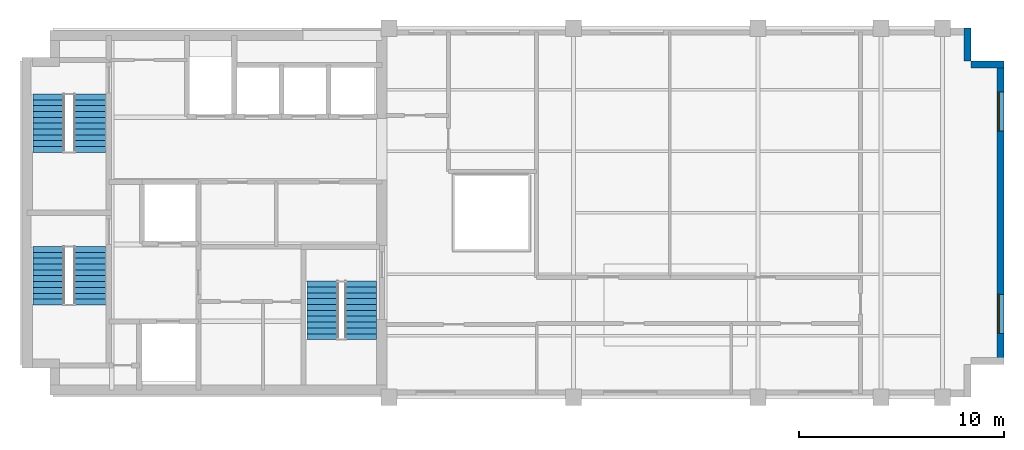
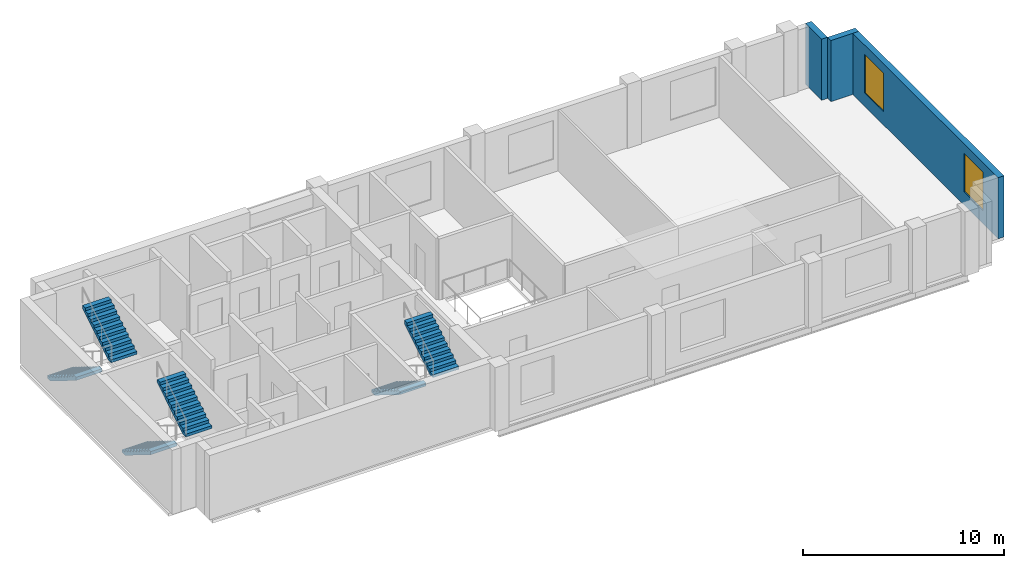
# One storey, part 4 of 5: 6 stair flights, 3 walls, 2 windows, 2 openings, 3 elements without a shape of their own.
"""IFC4 building model written with IfcOpenShell, lengths in metres."""

from ifc_helpers import new_model, si_unit, direction, frame, frame_2d, origin, place, context, subcontext, project, spatial, polyline, rectangle, outline, extrude, material, layer, layer_set, type_object, element, fill, aggregate, save


model = new_model("IFC4")

# Units and contexts
model_context = context("Model", 3, precision=1e-05, world=origin(), true_north=direction((0.0, 1.0)))
body_context = subcontext(model_context, "Body", "Model", "MODEL_VIEW")
ifc_project = project(units=[si_unit("LENGTHUNIT", "METRE"), si_unit("AREAUNIT", "SQUARE_METRE"), si_unit("VOLUMEUNIT", "CUBIC_METRE"), si_unit("PLANEANGLEUNIT", "RADIAN"), si_unit("MASSUNIT", "GRAM", prefix="KILO")], contexts=[model_context])

# Site, building, storey
site_placement = place(None, origin())
site = spatial("IfcSite", under=ifc_project, at=site_placement, CompositionType="ELEMENT")
building_placement = place(site_placement, origin())
building = spatial("IfcBuilding", under=site, at=building_placement, Name="Mawjdan Bourse Tower", CompositionType="ELEMENT")
storey_placement = place(building_placement, frame((0.0, 0.0, 258.60009765625)))
storey = spatial("IfcBuildingStorey", under=building, at=storey_placement, Name="L63", CompositionType="ELEMENT", Elevation=258.60009765625)

# Wall, openings, windows
ifc_material_1 = material(Name="Brick Masonry Buff", Category="masonry")
ifc_layer = layer(ifc_material_1, 0.340087890625)
ifc_layer_set = layer_set([ifc_layer], Name="Brick Masonry Buff")
wall_type = type_object("IfcWallType", Name="WL-BRK-SPN-340", PredefinedType="STANDARD", material=ifc_layer_set)
wall_placement = place(storey_placement, frame((53.830078125, 4.60009765625, 0.0), z_axis=(0.0, 0.0, 1.0), x_axis=(0.0, 1.0, 0.0)))
wall = element("IfcWall", 1, at=wall_placement, inside=storey, type_object=wall_type, Name="L63 Exterior Brick Wall 4", PredefinedType="STANDARD", context=body_context, shape_type="SweptSolid", body=[
    extrude(rectangle(XDim=14.7998046875, YDim=0.340087890625, at=frame_2d((7.39990234375, 0.0))), origin(), (0.0, 0.0, 1.0), 3.71484375),
])
opening_1_placement = place(wall_placement, frame((1.5166015625, 0.0, 0.800048828125)))
opening_1 = element("IfcOpeningElement", 2, at=opening_1_placement, cuts=wall, Name="Opening W-L63-04", PredefinedType="OPENING", context=body_context, shape_type="SweptSolid", body=[
    extrude(rectangle(XDim=1.89990234375, YDim=2.35009765625, at=frame_2d((0.949951171875, 1.175048828125))), frame((0.0, 0.18017578125, 0.0), z_axis=(0.0, -1.0, 0.0), x_axis=(1.0, 0.0, 0.0)), (0.0, 0.0, 1.0), 0.360107421875),
])
opening_2_placement = place(wall_placement, frame((11.38330078125, 0.0, 0.800048828125)))
opening_2 = element("IfcOpeningElement", 3, at=opening_2_placement, cuts=wall, Name="Opening W-L63-05", PredefinedType="OPENING", context=body_context, shape_type="SweptSolid", body=[
    extrude(rectangle(XDim=1.89990234375, YDim=2.35009765625, at=frame_2d((0.949951171875, 1.175048828125))), frame((0.0, 0.18017578125, 0.0), z_axis=(0.0, -1.0, 0.0), x_axis=(1.0, 0.0, 0.0)), (0.0, 0.0, 1.0), 0.360107421875),
])
ifc_material_2 = material(Name="Solar-Control Clear Double Glazing", Category="glass")
window_type = type_object("IfcWindowType", Name="WN-SMT-1900", PartitioningType="SINGLE_PANEL", PredefinedType="WINDOW", material=ifc_material_2)
window_1_placement = place(opening_1_placement, origin())
window_1 = element("IfcWindow", 4, at=window_1_placement, inside=storey, type_object=window_type, Name="L63 Deep-Set Masonry Window W-L63-04", OverallHeight=2.35009765625, OverallWidth=1.89990234375, PartitioningType="SINGLE_PANEL", PredefinedType="WINDOW", context=body_context, shape_type="SweptSolid", body=[
    extrude(rectangle(XDim=1.89990234375, YDim=2.35009765625, at=frame_2d((0.949951171875, 1.175048828125))), frame((0.0, 0.110107421875, 0.0), z_axis=(0.0, -1.0, 0.0), x_axis=(1.0, 0.0, 0.0)), (0.0, 0.0, 1.0), 0.06005859375),
])
fill(opening_1, window_1)
window_2_placement = place(opening_2_placement, origin())
window_2 = element("IfcWindow", 5, at=window_2_placement, inside=storey, type_object=window_type, Name="L63 Deep-Set Masonry Window W-L63-05", OverallHeight=2.35009765625, OverallWidth=1.89990234375, PartitioningType="SINGLE_PANEL", PredefinedType="WINDOW", context=body_context, shape_type="SweptSolid", body=[
    extrude(rectangle(XDim=1.89990234375, YDim=2.35009765625, at=frame_2d((0.949951171875, 1.175048828125))), frame((0.0, 0.110107421875, 0.0), z_axis=(0.0, -1.0, 0.0), x_axis=(1.0, 0.0, 0.0)), (0.0, 0.0, 1.0), 0.06005859375),
])
fill(opening_2, window_2)

# Walls
for number, where, z_axis, x_axis, name in (
    (6, (54.0, 19.22998046875, 0.0), (0.0, 0.0, 1.0), (-1.0, 0.0, 0.0), "L63 Exterior Brick Wall 5"),
    (7, (52.22998046875, 19.39990234375, 0.0), (0.0, 0.0, 1.0), (0.0, 1.0, 0.0), "L63 Exterior Brick Wall 6"),
):
    element("IfcWall", number, at=place(storey_placement, frame(where, z_axis=z_axis, x_axis=x_axis)), inside=storey, type_object=wall_type, Name=name, PredefinedType="STANDARD", context=body_context, shape_type="SweptSolid", body=[
        extrude(rectangle(XDim=1.60009765625, YDim=0.340087890625, at=frame_2d((0.800048828125, 0.0))), origin(), (0.0, 0.0, 1.0), 3.71484375),
    ])

# Stair, stair flights
ifc_material_3 = material(Name="Concrete C50/60", Category="concrete")
stair_type = type_object("IfcStairType", Name="STR-CORE-1500", PredefinedType="HALF_TURN_STAIR", material=ifc_material_3)
stair_1_placement = place(storey_placement, origin())
stair_1 = element("IfcStair", 8, at=stair_1_placement, inside=storey, type_object=stair_type, Name="L63 Exit Stair 1 (Core South-West)", PredefinedType="HALF_TURN_STAIR")
stair_flight_type = type_object("IfcStairFlightType", Name="SFL-RC-1500", PredefinedType="STRAIGHT", material=ifc_material_3)
stair_flight_1_placement = place(storey_placement, frame((7.389892578125, 10.35009765625, 0.0), z_axis=(0.0, 0.0, 1.0), x_axis=(0.0, -1.0, 0.0)))
stair_flight_1 = element("IfcStairFlight", 9, at=stair_flight_1_placement, type_object=stair_flight_type, Name="ST1-L63 flight 1", NumberOfRisers=11, NumberOfTreads=10, PredefinedType="STRAIGHT", RiserHeight=0.177273, TreadLength=0.285, context=body_context, shape_type="SweptSolid", body=[
    extrude(outline(polyline([(0.0, 0.0), (0.0, 0.17724609375), (0.284912109375, 0.17724609375), (0.284912109375, 0.3544921875), (0.570068359375, 0.3544921875), (0.570068359375, 0.53173828125), (0.85498046875, 0.53173828125), (0.85498046875, 0.708984375), (1.139892578125, 0.708984375), (1.139892578125, 0.886474609375), (1.425048828125, 0.886474609375), (1.425048828125, 1.063720703125), (1.7099609375, 1.063720703125), (1.7099609375, 1.240966796875), (1.9951171875, 1.240966796875), (1.9951171875, 1.418212890625), (2.280029296875, 1.418212890625), (2.280029296875, 1.595458984375), (2.56494140625, 1.595458984375), (2.56494140625, 1.772705078125), (2.85009765625, 1.772705078125), (2.85009765625, 1.949951171875), (2.85009765625, 1.58447265625), (0.302734375, 0.0), (0.0, 0.0)])), frame((0.0, 0.75, 0.0), z_axis=(0.0, -1.0, 0.0), x_axis=(1.0, 0.0, 0.0)), (0.0, 0.0, 1.0), 1.5),
])
stair_flight_2_placement = place(storey_placement, frame((9.409912109375, 7.5, 1.949951171875), z_axis=(0.0, 0.0, 1.0), x_axis=(0.0, 1.0, 0.0)))
stair_flight_2 = element("IfcStairFlight", 10, at=stair_flight_2_placement, type_object=stair_flight_type, Name="ST1-L63 flight 2", NumberOfRisers=11, NumberOfTreads=10, PredefinedType="STRAIGHT", RiserHeight=0.177273, TreadLength=0.285, context=body_context, shape_type="SweptSolid", body=[
    extrude(outline(polyline([(0.0, 0.0), (0.0, 0.17724609375), (0.284912109375, 0.17724609375), (0.284912109375, 0.3544921875), (0.570068359375, 0.3544921875), (0.570068359375, 0.53173828125), (0.85498046875, 0.53173828125), (0.85498046875, 0.708984375), (1.139892578125, 0.708984375), (1.139892578125, 0.886474609375), (1.425048828125, 0.886474609375), (1.425048828125, 1.063720703125), (1.7099609375, 1.063720703125), (1.7099609375, 1.240966796875), (1.9951171875, 1.240966796875), (1.9951171875, 1.418212890625), (2.280029296875, 1.418212890625), (2.280029296875, 1.595458984375), (2.56494140625, 1.595458984375), (2.56494140625, 1.772705078125), (2.85009765625, 1.772705078125), (2.85009765625, 1.949951171875), (2.85009765625, 1.58447265625), (0.302734375, 0.0), (0.0, 0.0)])), frame((0.0, 0.75, 0.0), z_axis=(0.0, -1.0, 0.0), x_axis=(1.0, 0.0, 0.0)), (0.0, 0.0, 1.0), 1.5),
])
aggregate(stair_1, [stair_flight_1, stair_flight_2])

stair_2_placement = place(storey_placement, origin())
stair_2 = element("IfcStair", 11, at=stair_2_placement, inside=storey, type_object=stair_type, Name="L63 Exit Stair 2 (Core North-West)", PredefinedType="HALF_TURN_STAIR")
stair_flight_3_placement = place(storey_placement, frame((7.389892578125, 17.7900390625, 0.0), z_axis=(0.0, 0.0, 1.0), x_axis=(0.0, -1.0, 0.0)))
stair_flight_3 = element("IfcStairFlight", 12, at=stair_flight_3_placement, type_object=stair_flight_type, Name="ST2-L63 flight 1", NumberOfRisers=11, NumberOfTreads=10, PredefinedType="STRAIGHT", RiserHeight=0.177273, TreadLength=0.285, context=body_context, shape_type="SweptSolid", body=[
    extrude(outline(polyline([(0.0, 0.0), (0.0, 0.17724609375), (0.284912109375, 0.17724609375), (0.284912109375, 0.3544921875), (0.570068359375, 0.3544921875), (0.570068359375, 0.53173828125), (0.85498046875, 0.53173828125), (0.85498046875, 0.708984375), (1.139892578125, 0.708984375), (1.139892578125, 0.886474609375), (1.425048828125, 0.886474609375), (1.425048828125, 1.063720703125), (1.7099609375, 1.063720703125), (1.7099609375, 1.240966796875), (1.9951171875, 1.240966796875), (1.9951171875, 1.418212890625), (2.280029296875, 1.418212890625), (2.280029296875, 1.595458984375), (2.56494140625, 1.595458984375), (2.56494140625, 1.772705078125), (2.85009765625, 1.772705078125), (2.85009765625, 1.949951171875), (2.85009765625, 1.58447265625), (0.302734375, 0.0), (0.0, 0.0)])), frame((0.0, 0.75, 0.0), z_axis=(0.0, -1.0, 0.0), x_axis=(1.0, 0.0, 0.0)), (0.0, 0.0, 1.0), 1.5),
])
stair_flight_4_placement = place(storey_placement, frame((9.409912109375, 14.93994140625, 1.949951171875), z_axis=(0.0, 0.0, 1.0), x_axis=(0.0, 1.0, 0.0)))
stair_flight_4 = element("IfcStairFlight", 13, at=stair_flight_4_placement, type_object=stair_flight_type, Name="ST2-L63 flight 2", NumberOfRisers=11, NumberOfTreads=10, PredefinedType="STRAIGHT", RiserHeight=0.177273, TreadLength=0.285, context=body_context, shape_type="SweptSolid", body=[
    extrude(outline(polyline([(0.0, 0.0), (0.0, 0.17724609375), (0.284912109375, 0.17724609375), (0.284912109375, 0.3544921875), (0.570068359375, 0.3544921875), (0.570068359375, 0.53173828125), (0.85498046875, 0.53173828125), (0.85498046875, 0.708984375), (1.139892578125, 0.708984375), (1.139892578125, 0.886474609375), (1.425048828125, 0.886474609375), (1.425048828125, 1.063720703125), (1.7099609375, 1.063720703125), (1.7099609375, 1.240966796875), (1.9951171875, 1.240966796875), (1.9951171875, 1.418212890625), (2.280029296875, 1.418212890625), (2.280029296875, 1.595458984375), (2.56494140625, 1.595458984375), (2.56494140625, 1.772705078125), (2.85009765625, 1.772705078125), (2.85009765625, 1.949951171875), (2.85009765625, 1.58447265625), (0.302734375, 0.0), (0.0, 0.0)])), frame((0.0, 0.75, 0.0), z_axis=(0.0, -1.0, 0.0), x_axis=(1.0, 0.0, 0.0)), (0.0, 0.0, 1.0), 1.5),
])
aggregate(stair_2, [stair_flight_3, stair_flight_4])

stair_3_placement = place(storey_placement, origin())
stair_3 = element("IfcStair", 14, at=stair_3_placement, inside=storey, type_object=stair_type, Name="L63 Exit Stair 7 (Core South-East)", PredefinedType="HALF_TURN_STAIR")
stair_flight_5_placement = place(storey_placement, frame((20.739990234375, 8.659912109375, 0.0), z_axis=(0.0, 0.0, 1.0), x_axis=(0.0, -1.0, 0.0)))
stair_flight_5 = element("IfcStairFlight", 15, at=stair_flight_5_placement, type_object=stair_flight_type, Name="ST7-L63 flight 1", NumberOfRisers=11, NumberOfTreads=10, PredefinedType="STRAIGHT", RiserHeight=0.177273, TreadLength=0.285, context=body_context, shape_type="SweptSolid", body=[
    extrude(outline(polyline([(0.0, 0.0), (0.0, 0.17724609375), (0.284912109375, 0.17724609375), (0.284912109375, 0.3544921875), (0.570068359375, 0.3544921875), (0.570068359375, 0.53173828125), (0.85498046875, 0.53173828125), (0.85498046875, 0.708984375), (1.139892578125, 0.708984375), (1.139892578125, 0.886474609375), (1.425048828125, 0.886474609375), (1.425048828125, 1.063720703125), (1.7099609375, 1.063720703125), (1.7099609375, 1.240966796875), (1.9951171875, 1.240966796875), (1.9951171875, 1.418212890625), (2.280029296875, 1.418212890625), (2.280029296875, 1.595458984375), (2.56494140625, 1.595458984375), (2.56494140625, 1.772705078125), (2.85009765625, 1.772705078125), (2.85009765625, 1.949951171875), (2.85009765625, 1.58447265625), (0.302734375, 0.0), (0.0, 0.0)])), frame((0.0, 0.75, 0.0), z_axis=(0.0, -1.0, 0.0), x_axis=(1.0, 0.0, 0.0)), (0.0, 0.0, 1.0), 1.5),
])
stair_flight_6_placement = place(storey_placement, frame((22.6298828125, 5.81005859375, 1.949951171875), z_axis=(0.0, 0.0, 1.0), x_axis=(0.0, 1.0, 0.0)))
stair_flight_6 = element("IfcStairFlight", 16, at=stair_flight_6_placement, type_object=stair_flight_type, Name="ST7-L63 flight 2", NumberOfRisers=11, NumberOfTreads=10, PredefinedType="STRAIGHT", RiserHeight=0.177273, TreadLength=0.285, context=body_context, shape_type="SweptSolid", body=[
    extrude(outline(polyline([(0.0, 0.0), (0.0, 0.17724609375), (0.284912109375, 0.17724609375), (0.284912109375, 0.3544921875), (0.570068359375, 0.3544921875), (0.570068359375, 0.53173828125), (0.85498046875, 0.53173828125), (0.85498046875, 0.708984375), (1.139892578125, 0.708984375), (1.139892578125, 0.886474609375), (1.425048828125, 0.886474609375), (1.425048828125, 1.063720703125), (1.7099609375, 1.063720703125), (1.7099609375, 1.240966796875), (1.9951171875, 1.240966796875), (1.9951171875, 1.418212890625), (2.280029296875, 1.418212890625), (2.280029296875, 1.595458984375), (2.56494140625, 1.595458984375), (2.56494140625, 1.772705078125), (2.85009765625, 1.772705078125), (2.85009765625, 1.949951171875), (2.85009765625, 1.58447265625), (0.302734375, 0.0), (0.0, 0.0)])), frame((0.0, 0.75, 0.0), z_axis=(0.0, -1.0, 0.0), x_axis=(1.0, 0.0, 0.0)), (0.0, 0.0, 1.0), 1.5),
])
aggregate(stair_3, [stair_flight_5, stair_flight_6])

save(model, "model.ifc")
